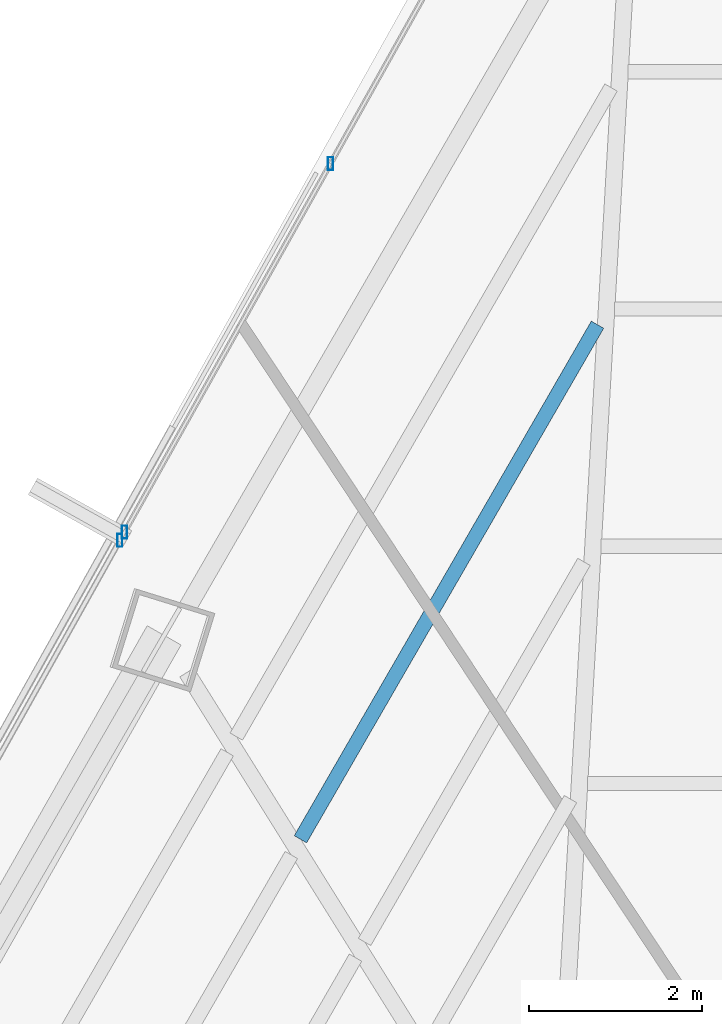
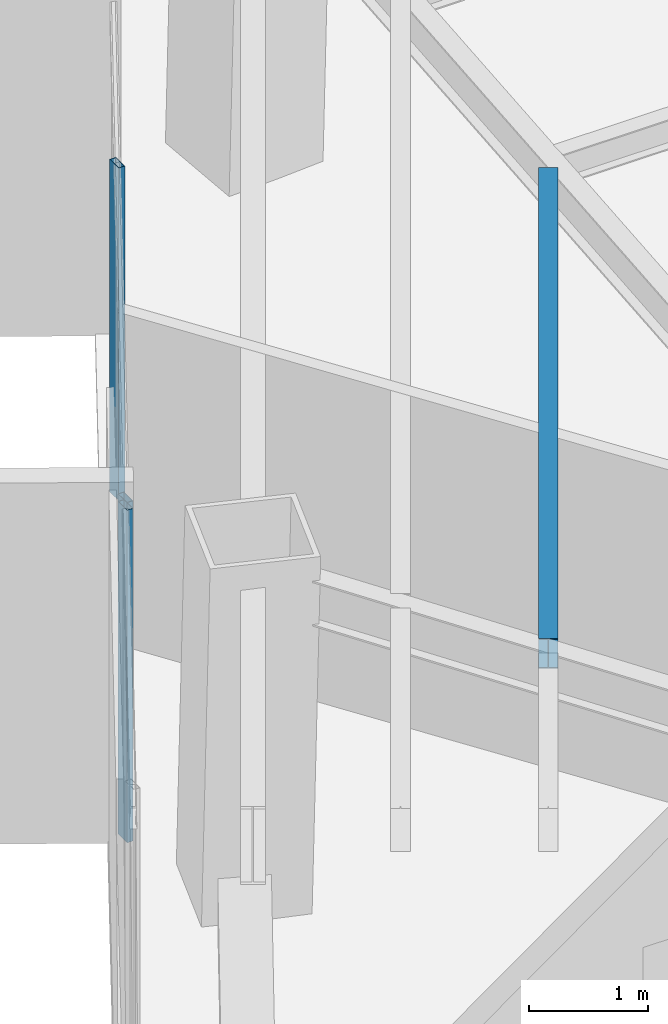
# One storey, part 26 of 39: 3 members, 1 beam, 2 elements without a shape of their own.
"""IFC4 building model written with IfcOpenShell, lengths in metres."""

from ifc_helpers import new_model, si_unit, direction, frame, origin, origin_2d, place, context, subcontext, project, spatial, hollow_rectangle, i_section, extrude, source, transform, mapped, material, material_profile, profile_set, type_object, type_shapes, element, aggregate, save


model = new_model("IFC4")

# Units and contexts
model_context = context("Model", 3, precision=1e-05, world=origin(), true_north=direction((0.0, 1.0)))
body_context = subcontext(model_context, "Body", "Model", "MODEL_VIEW")
ifc_project = project(units=[si_unit("LENGTHUNIT", "METRE"), si_unit("AREAUNIT", "SQUARE_METRE"), si_unit("VOLUMEUNIT", "CUBIC_METRE"), si_unit("PLANEANGLEUNIT", "RADIAN"), si_unit("MASSUNIT", "GRAM", prefix="KILO")], contexts=[model_context])

# Site, building, storey
site_placement = place(None, origin())
site = spatial("IfcSite", under=ifc_project, at=site_placement, CompositionType="ELEMENT")
building_placement = place(site_placement, origin())
building = spatial("IfcBuilding", under=site, at=building_placement, Name="Caelisora Broadcast Tower", CompositionType="ELEMENT")
storey_placement = place(building_placement, frame((0.0, 0.0, 139.10009765625)))
storey = spatial("IfcBuildingStorey", under=building, at=storey_placement, Name="L36", CompositionType="ELEMENT", Elevation=139.10009765625)

# Beam
ifc_material_1 = material(Name="Steel Grade 350 (AS/NZS 3679.1)", Category="steel")
ifc_material_profile_1 = material_profile(ifc_material_1, i_section(OverallWidth=0.166015625, OverallDepth=0.30712890625, WebThickness=0.006591796875, FlangeThickness=0.01171875, at=origin_2d()), Name="Steel Grade 350 (AS/NZS 3679.1)")
ifc_profile_set_1 = profile_set([ifc_material_profile_1], Name="Steel Grade 350 (AS/NZS 3679.1)")
beam_type = type_object("IfcBeamType", Name="SB03", PredefinedType="JOIST", material=ifc_profile_set_1)
shared_shape_1 = source(origin(), body_context, "Body", "SweptSolid", [
    extrude(i_section(OverallWidth=0.166015625, OverallDepth=0.30712890625, WebThickness=0.006591796875, FlangeThickness=0.01171875, at=origin_2d()), origin(), (0.0, 0.0, 1.0), 6.878173828125),
])
type_shapes(beam_type, [shared_shape_1])
beam_placement = place(storey_placement, frame((31.021484375, 40.802001953125, 3.246337890625), z_axis=(-0.499979522441, -0.866037226186, 0.0), x_axis=(0.866037226186, -0.499979522441, 0.0)))
element("IfcBeam", 1, at=beam_placement, inside=storey, type_object=beam_type, Name="L36 beam SB03", PredefinedType="JOIST", context=body_context, shape_type="MappedRepresentation", body=[
    mapped(shared_shape_1, transform((0.0, 0.0, 0.0), scale=1.0)),
])

# Curtain wall, member
ifc_material_2 = material(Name="Unitised Aluminium Insulated Shadow-Box Spandrel Curtain Wall", Category="aluminium")
curtain_wall_type_1 = type_object("IfcCurtainWallType", Name="CW-SP2", PredefinedType="NOTDEFINED", material=ifc_material_2)
curtain_wall_1_placement = place(storey_placement, origin())
curtain_wall_1 = element("IfcCurtainWall", 2, at=curtain_wall_1_placement, inside=storey, type_object=curtain_wall_type_1, Name="L36 curtain wall CW-SP2", PredefinedType="NOTDEFINED")
ifc_material_3 = material(Name="Aluminium 6063-T6 Anodised Terracotta Bronze", Category="aluminium")
ifc_material_profile_2 = material_profile(ifc_material_3, hollow_rectangle(XDim=0.06005859375, YDim=0.14990234375, WallThickness=0.00341796875, at=origin_2d()), Name="Aluminium 6063-T6 Anodised Terracotta Bronze")
ifc_profile_set_2 = profile_set([ifc_material_profile_2], Name="Aluminium 6063-T6 Anodised Terracotta Bronze")
member_type = type_object("IfcMemberType", Name="CWM-03", PredefinedType="MULLION", material=ifc_profile_set_2)
shared_shape_2 = source(origin(), body_context, "Body", "SweptSolid", [
    extrude(hollow_rectangle(XDim=0.06005859375, YDim=0.14990234375, WallThickness=0.00341796875, at=origin_2d()), origin(), (0.0, 0.0, 1.0), 3.39990234375),
])
type_shapes(member_type, [shared_shape_2])
member_1_placement = place(storey_placement, frame((25.4921875, 38.304443359375, 0.0), z_axis=(0.0, 0.0, 1.0), x_axis=(1.0, 0.0, 0.0)))
member_1 = element("IfcMember", 3, at=member_1_placement, type_object=member_type, Name="L36-CW-B10 mullion #3", PredefinedType="MULLION", context=body_context, shape_type="MappedRepresentation", body=[
    mapped(shared_shape_2, transform((0.0, 0.0, 0.0), scale=1.0)),
])
aggregate(curtain_wall_1, [member_1])

# Curtain wall, members
ifc_material_4 = material(Name="Unitised Aluminium and Low-E Glass Curtain Wall", Category="glass")
curtain_wall_type_2 = type_object("IfcCurtainWallType", Name="CW-Z3", PredefinedType="NOTDEFINED", material=ifc_material_4)
curtain_wall_2_placement = place(storey_placement, origin())
curtain_wall_2 = element("IfcCurtainWall", 4, at=curtain_wall_2_placement, inside=storey, type_object=curtain_wall_type_2, Name="L36 curtain wall CW-Z3", PredefinedType="NOTDEFINED")
member_2_placement = place(storey_placement, frame((25.5458984375, 38.400390625, 0.0), z_axis=(0.0, 0.0, 1.0), x_axis=(1.0, 0.0, 0.0)))
member_2 = element("IfcMember", 5, at=member_2_placement, type_object=member_type, Name="L36-CW-B11 mullion #0", PredefinedType="MULLION", context=body_context, shape_type="MappedRepresentation", body=[
    mapped(shared_shape_2, transform((0.0, 0.0, 0.0), scale=1.0)),
])
member_3_placement = place(storey_placement, frame((27.929931640625, 42.6669921875, 0.0), z_axis=(0.0, 0.0, 1.0), x_axis=(1.0, 0.0, 0.0)))
member_3 = element("IfcMember", 6, at=member_3_placement, type_object=member_type, Name="L36-CW-B11 mullion #1", PredefinedType="MULLION", context=body_context, shape_type="MappedRepresentation", body=[
    mapped(shared_shape_2, transform((0.0, 0.0, 0.0), scale=1.0)),
])
aggregate(curtain_wall_2, [member_2, member_3])

save(model, "model.ifc")
